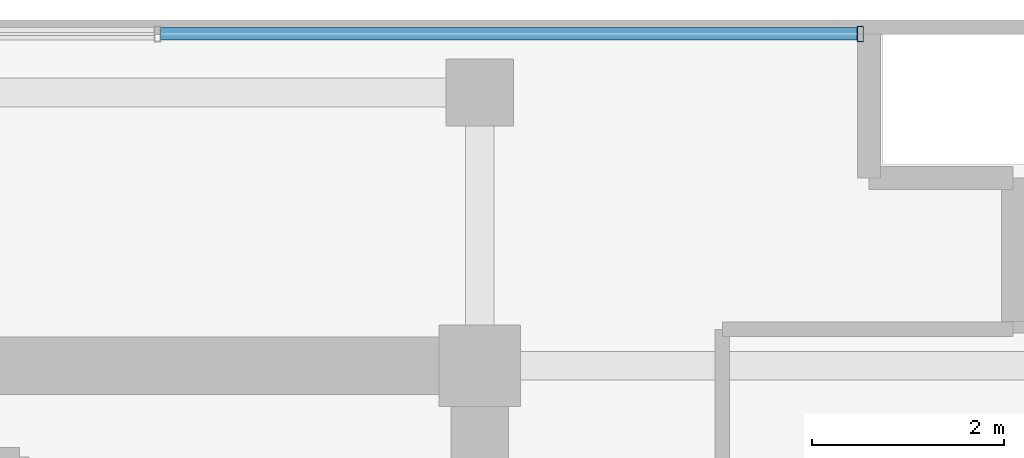
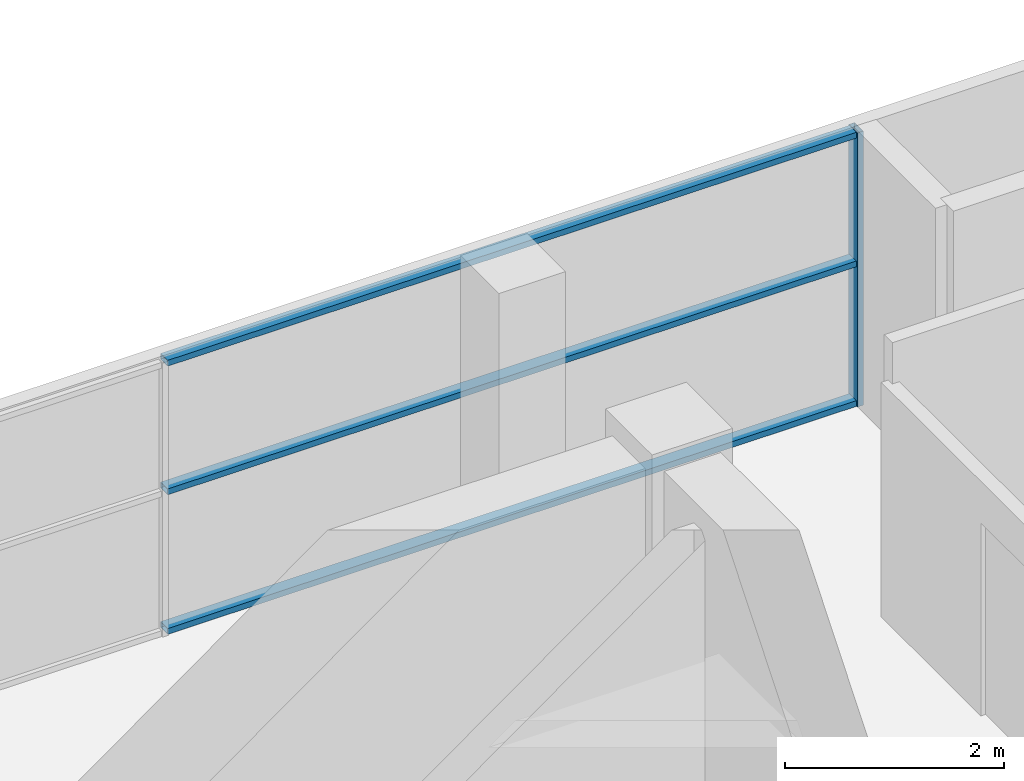
# One storey, part 20 of 28: 4 members, 1 element without a shape of its own.
"""IFC4 building model written with IfcOpenShell, lengths in metres."""

from ifc_helpers import new_model, si_unit, direction, frame, origin, origin_2d, place, context, subcontext, project, spatial, hollow_rectangle, extrude, source, transform, mapped, material, layer, layer_set, material_profile, profile_set, type_object, element, aggregate, save


model = new_model("IFC4")

# Units and contexts
model_context = context("Model", 3, precision=1e-05, world=origin(), true_north=direction((0.0, 1.0)))
body_context = subcontext(model_context, "Body", "Model", "MODEL_VIEW")
ifc_project = project(units=[si_unit("LENGTHUNIT", "METRE"), si_unit("AREAUNIT", "SQUARE_METRE"), si_unit("VOLUMEUNIT", "CUBIC_METRE"), si_unit("PLANEANGLEUNIT", "RADIAN"), si_unit("MASSUNIT", "GRAM", prefix="KILO")], contexts=[model_context])

# Site, building, storey
site_placement = place(None, origin())
site = spatial("IfcSite", under=ifc_project, at=site_placement, CompositionType="ELEMENT")
building_placement = place(site_placement, origin())
building = spatial("IfcBuilding", under=site, at=building_placement, Name="Zarnakvel Exchange Tower", CompositionType="ELEMENT")
storey_placement = place(building_placement, frame((0.0, 0.0, 261.699951171875)))
storey = spatial("IfcBuildingStorey", under=building, at=storey_placement, Name="L74", CompositionType="ELEMENT", Elevation=261.699951171875)

# Curtain wall, members
ifc_material = material(Name="Architectural Bronze Anodised Aluminium", Category="aluminium")
ifc_layer = layer(ifc_material, 0.159912109375)
ifc_layer_set = layer_set([ifc_layer], Name="Architectural Bronze Anodised Aluminium")
curtain_wall_type = type_object("IfcCurtainWallType", Name="CW-06", PredefinedType="NOTDEFINED", material=ifc_layer_set)
curtain_wall_placement = place(storey_placement, origin())
curtain_wall = element("IfcCurtainWall", 1, at=curtain_wall_placement, inside=storey, type_object=curtain_wall_type, Name="L74 Curtain Wall CW-L74-N1 (CW-06)", PredefinedType="NOTDEFINED")
ifc_material_profile_1 = material_profile(ifc_material, hollow_rectangle(XDim=0.1298828125, YDim=0.06494140625, WallThickness=0.00390625, at=origin_2d()))
ifc_profile_set_1 = profile_set([ifc_material_profile_1], Name="Architectural Bronze Anodised Aluminium")
member_type_1 = type_object("IfcMemberType", Name="CWT-06", PredefinedType="USERDEFINED", material=ifc_profile_set_1)
shared_shape_1 = source(origin(), body_context, "Body", "SweptSolid", [
    extrude(hollow_rectangle(XDim=0.1298828125, YDim=0.06494140625, WallThickness=0.00390625, at=origin_2d()), origin(), (0.0, 0.0, 1.0), 7.262451171875),
])
member_1_placement = place(storey_placement, frame((11.072509765625, 16.9599609375, 0.032470703125), z_axis=(1.0, 0.0, 0.0), x_axis=(0.0, 1.0, 0.0)))
member_1 = element("IfcMember", 2, at=member_1_placement, type_object=member_type_1, Name="CW-06 transom 5.1", ObjectType="TRANSOM", PredefinedType="USERDEFINED", context=body_context, shape_type="MappedRepresentation", body=[
    mapped(shared_shape_1, transform((0.0, 0.0, 0.0), x_axis=(1.0, 0.0, 0.0), y_axis=(0.0, 1.0, 0.0), z_axis=(0.0, 0.0, 1.0), scale=1.0)),
])
member_2_placement = place(storey_placement, frame((11.072509765625, 16.9599609375, 1.588623046875), z_axis=(1.0, 0.0, 0.0), x_axis=(0.0, 1.0, 0.0)))
member_2 = element("IfcMember", 3, at=member_2_placement, type_object=member_type_1, Name="CW-06 transom 5.2", ObjectType="TRANSOM", PredefinedType="USERDEFINED", context=body_context, shape_type="MappedRepresentation", body=[
    mapped(shared_shape_1, transform((0.0, 0.0, 0.0), x_axis=(1.0, 0.0, 0.0), y_axis=(0.0, 1.0, 0.0), z_axis=(0.0, 0.0, 1.0), scale=1.0)),
])
member_3_placement = place(storey_placement, frame((11.072509765625, 16.9599609375, 3.0224609375), z_axis=(1.0, 0.0, 0.0), x_axis=(0.0, 1.0, 0.0)))
member_3 = element("IfcMember", 4, at=member_3_placement, type_object=member_type_1, Name="CW-06 transom 5.3", ObjectType="TRANSOM", PredefinedType="USERDEFINED", context=body_context, shape_type="MappedRepresentation", body=[
    mapped(shared_shape_1, transform((0.0, 0.0, 0.0), x_axis=(1.0, 0.0, 0.0), y_axis=(0.0, 1.0, 0.0), z_axis=(0.0, 0.0, 1.0), scale=1.0)),
])
ifc_material_profile_2 = material_profile(ifc_material, hollow_rectangle(XDim=0.159912109375, YDim=0.06494140625, WallThickness=0.00390625, at=origin_2d()))
ifc_profile_set_2 = profile_set([ifc_material_profile_2], Name="Architectural Bronze Anodised Aluminium")
member_type_2 = type_object("IfcMemberType", Name="CWM-06", PredefinedType="MULLION", material=ifc_profile_set_2)
shared_shape_2 = source(origin(), body_context, "Body", "SweptSolid", [
    extrude(hollow_rectangle(XDim=0.159912109375, YDim=0.06494140625, WallThickness=0.00390625, at=origin_2d()), origin(), (0.0, 0.0, 1.0), 3.054931640625),
])
member_4_placement = place(storey_placement, frame((18.367431640625, 16.9599609375, 0.0), z_axis=(0.0, 0.0, 1.0), x_axis=(0.0, 1.0, 0.0)))
member_4 = element("IfcMember", 5, at=member_4_placement, type_object=member_type_2, Name="CW-06 mullion 6", PredefinedType="MULLION", context=body_context, shape_type="MappedRepresentation", body=[
    mapped(shared_shape_2, transform((0.0, 0.0, 0.0), x_axis=(1.0, 0.0, 0.0), y_axis=(0.0, 1.0, 0.0), z_axis=(0.0, 0.0, 1.0), scale=1.0)),
])
aggregate(curtain_wall, [member_4, member_1, member_2, member_3])

save(model, "model.ifc")
